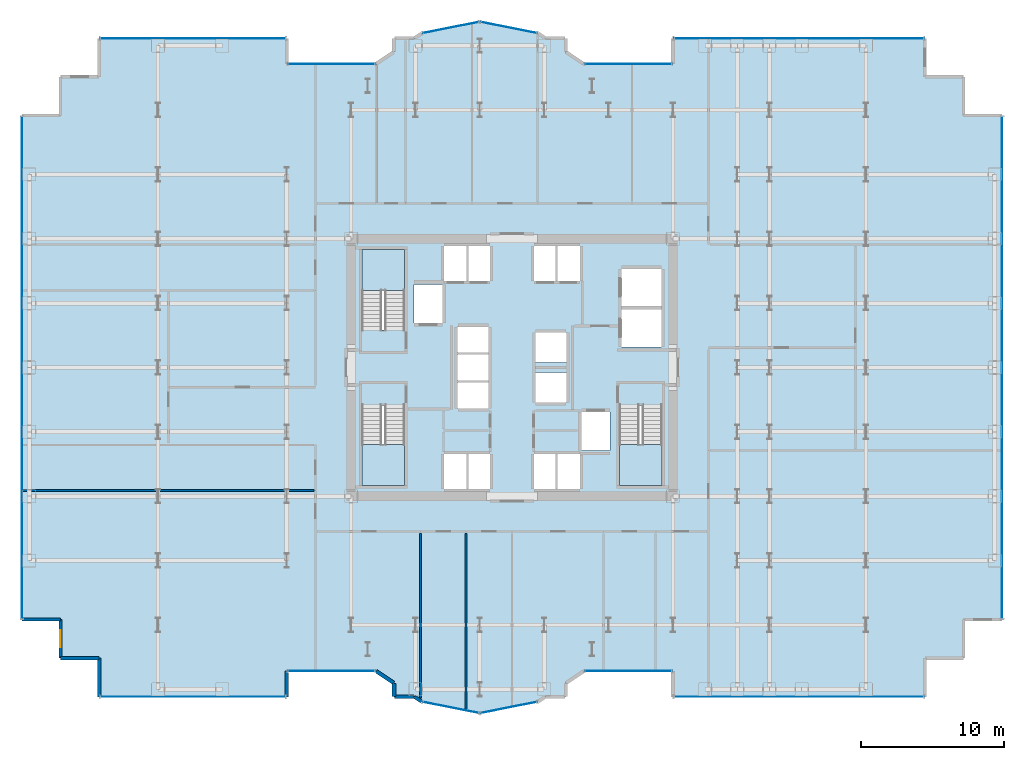
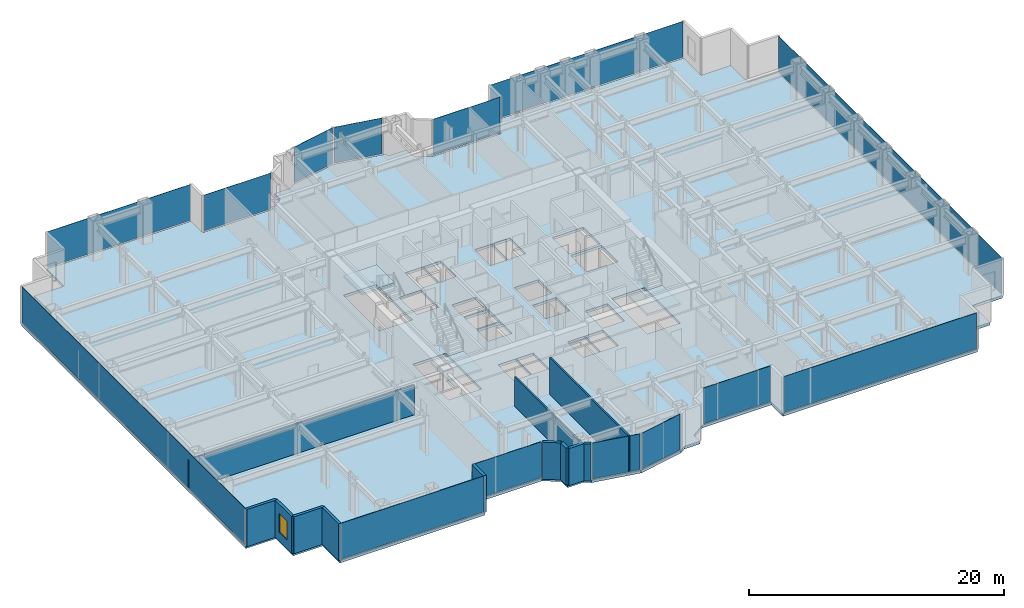
# One storey, part 19 of 25: 14 plates, 12 walls, 4 slabs, 1 window, 1 opening, 17 elements without a shape of their own.
"""IFC4 building model written with IfcOpenShell, lengths in metres."""

from ifc_helpers import new_model, si_unit, direction, frame, frame_2d, origin, origin_2d, place, context, subcontext, project, spatial, polyline, rectangle, outline, extrude, source, transform, mapped, material, layer, layer_set, type_object, element, fill, aggregate, save


model = new_model("IFC4")

# Units and contexts
model_context = context("Model", 3, precision=1e-05, world=origin(), true_north=direction((0.0, 1.0)))
body_context = subcontext(model_context, "Body", "Model", "MODEL_VIEW")
ifc_project = project(units=[si_unit("LENGTHUNIT", "METRE"), si_unit("AREAUNIT", "SQUARE_METRE"), si_unit("VOLUMEUNIT", "CUBIC_METRE"), si_unit("PLANEANGLEUNIT", "RADIAN"), si_unit("MASSUNIT", "GRAM", prefix="KILO")], contexts=[model_context])

# Site, building, storey
site_placement = place(None, origin())
site = spatial("IfcSite", under=ifc_project, at=site_placement, CompositionType="ELEMENT")
building_placement = place(site_placement, origin())
building = spatial("IfcBuilding", under=site, at=building_placement, Name="Nefas-Gora Pilgrimage Tower", CompositionType="ELEMENT")
storey_placement = place(building_placement, frame((0.0, 0.0, 74.800048828125)))
storey = spatial("IfcBuildingStorey", under=building, at=storey_placement, Name="L17", CompositionType="ELEMENT", Elevation=74.800048828125)

# Slab
ifc_material_1 = material(Name="Concrete C40/50", Category="concrete")
ifc_layer_1 = layer(ifc_material_1, 0.25)
ifc_layer_set_1 = layer_set([ifc_layer_1], Name="Concrete C40/50")
slab_type_1 = type_object("IfcSlabType", Name="SLB-TWR-250", PredefinedType="FLOOR", material=ifc_layer_set_1)
slab_1_placement = place(storey_placement, frame((0.0, 0.0, -0.25)))
element("IfcSlab", 1, at=slab_1_placement, inside=storey, type_object=slab_type_1, Name="L17 Structural Floor Slab", PredefinedType="FLOOR", context=body_context, shape_type="SweptSolid", body=[
    extrude(outline(polyline([(5.01806640625, -21.219970703125), (11.25, -21.219970703125), (11.25, -23.02001953125), (28.8701171875, -23.02001953125), (28.8701171875, -20.320068359375), (31.570068359375, -20.320068359375), (31.570068359375, -17.6201171875), (34.27001953125, -17.6201171875), (34.27001953125, 17.6201171875), (31.570068359375, 17.6201171875), (31.570068359375, 20.320068359375), (28.8701171875, 20.320068359375), (28.8701171875, 23.02001953125), (11.25, 23.02001953125), (11.25, 21.219970703125), (5.01806640625, 21.219970703125), (3.75, 22.0673828125), (3.75, 23.02001953125), (2.32421875, 23.02001953125), (1.807373046875, 23.365234375), (-2.25, 24.17236328125), (-6.307373046875, 23.365234375), (-6.82421875, 23.02001953125), (-8.25, 23.02001953125), (-8.25, 22.0673828125), (-9.51806640625, 21.219970703125), (-15.75, 21.219970703125), (-15.75, 23.02001953125), (-28.8701171875, 23.02001953125), (-28.8701171875, 20.320068359375), (-31.570068359375, 20.320068359375), (-31.570068359375, 17.6201171875), (-34.27001953125, 17.6201171875), (-34.27001953125, -17.6201171875), (-31.570068359375, -17.6201171875), (-31.570068359375, -20.320068359375), (-28.8701171875, -20.320068359375), (-28.8701171875, -23.02001953125), (-15.75, -23.02001953125), (-15.75, -21.219970703125), (-9.51806640625, -21.219970703125), (-8.25, -22.0673828125), (-8.25, -23.02001953125), (-6.82421875, -23.02001953125), (-6.307373046875, -23.365234375), (-2.25, -24.17236328125), (1.807373046875, -23.365234375), (2.32421875, -23.02001953125), (3.75, -23.02001953125), (3.75, -22.0673828125), (5.01806640625, -21.219970703125)]), holes=[polyline([(-10.5, 2.639892578125), (-10.5, 8.25), (-7.5, 8.25), (-7.5, 2.639892578125), (-10.5, 2.639892578125)]), polyline([(10.5, -2.639892578125), (10.5, -8.25), (7.5, -8.25), (7.5, -2.639892578125), (10.5, -2.639892578125)]), polyline([(-7.5, -2.639892578125), (-7.5, -8.25), (-10.5, -8.25), (-10.5, -2.639892578125), (-7.5, -2.639892578125)]), polyline([(-6.85009765625, 5.800048828125), (-4.85009765625, 5.800048828125), (-4.85009765625, 3.10009765625), (-6.85009765625, 3.10009765625), (-6.85009765625, 5.800048828125)]), polyline([(4.85009765625, -3.10009765625), (6.85009765625, -3.10009765625), (6.85009765625, -5.800048828125), (4.85009765625, -5.800048828125), (4.85009765625, -3.10009765625)]), polyline([(7.64990234375, 4.050048828125), (10.449951171875, 4.050048828125), (10.449951171875, 1.449951171875), (7.64990234375, 1.449951171875), (7.64990234375, 4.050048828125)]), polyline([(7.64990234375, 6.89990234375), (10.449951171875, 6.89990234375), (10.449951171875, 4.300048828125), (7.64990234375, 4.300048828125), (7.64990234375, 6.89990234375)]), polyline([(-4.75, 8.5), (-3.14990234375, 8.5), (-3.14990234375, 6.050048828125), (-4.75, 6.050048828125), (-4.75, 8.5)]), polyline([(-3.10009765625, 8.5), (-1.550048828125, 8.5), (-1.550048828125, 6.050048828125), (-3.10009765625, 6.050048828125), (-3.10009765625, 8.5)]), polyline([(1.550048828125, 8.5), (3.10009765625, 8.5), (3.10009765625, 6.050048828125), (1.550048828125, 6.050048828125), (1.550048828125, 8.5)]), polyline([(3.14990234375, 8.5), (4.75, 8.5), (4.75, 6.050048828125), (3.14990234375, 6.050048828125), (3.14990234375, 8.5)]), polyline([(-4.75, -6.050048828125), (-3.14990234375, -6.050048828125), (-3.14990234375, -8.5), (-4.75, -8.5), (-4.75, -6.050048828125)]), polyline([(-3.10009765625, -6.050048828125), (-1.550048828125, -6.050048828125), (-1.550048828125, -8.5), (-3.10009765625, -8.5), (-3.10009765625, -6.050048828125)]), polyline([(1.550048828125, -6.050048828125), (3.10009765625, -6.050048828125), (3.10009765625, -8.5), (1.550048828125, -8.5), (1.550048828125, -6.050048828125)]), polyline([(3.14990234375, -6.050048828125), (4.75, -6.050048828125), (4.75, -8.5), (3.14990234375, -8.5), (3.14990234375, -6.050048828125)]), polyline([(-3.800048828125, -1.050048828125), (-1.64990234375, -1.050048828125), (-1.64990234375, -2.85009765625), (-3.800048828125, -2.85009765625), (-3.800048828125, -1.050048828125)]), polyline([(-3.800048828125, 0.89990234375), (-1.64990234375, 0.89990234375), (-1.64990234375, -0.89990234375), (-3.800048828125, -0.89990234375), (-3.800048828125, 0.89990234375)]), polyline([(-3.800048828125, 2.85009765625), (-1.64990234375, 2.85009765625), (-1.64990234375, 1.050048828125), (-3.800048828125, 1.050048828125), (-3.800048828125, 2.85009765625)]), polyline([(1.64990234375, -0.35009765625), (3.800048828125, -0.35009765625), (3.800048828125, -2.449951171875), (1.64990234375, -2.449951171875), (1.64990234375, -0.35009765625)]), polyline([(1.64990234375, 2.449951171875), (3.800048828125, 2.449951171875), (3.800048828125, 0.35009765625), (1.64990234375, 0.35009765625), (1.64990234375, 2.449951171875)])]), origin(), (0.0, 0.0, 1.0), 0.25),
])

# Stair, slab
ifc_material_2 = material(Name="Concrete C45/55", Category="concrete")
stair_type = type_object("IfcStairType", Name="STR-1400-R1727", PredefinedType="HALF_TURN_STAIR", material=ifc_material_2)
stair_1_placement = place(storey_placement, origin())
stair_1 = element("IfcStair", 2, at=stair_1_placement, inside=storey, type_object=stair_type, Name="L17 Pressurised Tower Exit Stair ST-01", PredefinedType="HALF_TURN_STAIR")
ifc_layer_2 = layer(ifc_material_1, 0.199951171875)
ifc_layer_set_2 = layer_set([ifc_layer_2], Name="Concrete C40/50")
slab_type_2 = type_object("IfcSlabType", Name="STR-LAND-200", PredefinedType="LANDING", material=ifc_layer_set_2)
slab_2_placement = place(storey_placement, frame((0.0, 0.0, 1.699951171875)))
slab_2 = element("IfcSlab", 3, at=slab_2_placement, type_object=slab_type_2, Name="ST-01 landing 1", PredefinedType="LANDING", context=body_context, shape_type="SweptSolid", body=[
    extrude(outline(polyline([(-7.5, 5.39990234375), (-7.5, 8.25), (-10.5, 8.25), (-10.5, 5.39990234375), (-7.5, 5.39990234375)])), origin(), (0.0, 0.0, 1.0), 0.199951171875),
])
aggregate(stair_1, [slab_2])

stair_2_placement = place(storey_placement, origin())
stair_2 = element("IfcStair", 4, at=stair_2_placement, inside=storey, type_object=stair_type, Name="L17 Pressurised Tower Exit Stair ST-02", PredefinedType="HALF_TURN_STAIR")
slab_3_placement = place(storey_placement, frame((0.0, 0.0, 1.699951171875)))
slab_3 = element("IfcSlab", 5, at=slab_3_placement, type_object=slab_type_2, Name="ST-02 landing 1", PredefinedType="LANDING", context=body_context, shape_type="SweptSolid", body=[
    extrude(outline(polyline([(7.5, -5.39990234375), (7.5, -8.25), (10.5, -8.25), (10.5, -5.39990234375), (7.5, -5.39990234375)])), origin(), (0.0, 0.0, 1.0), 0.199951171875),
])
aggregate(stair_2, [slab_3])

stair_3_placement = place(storey_placement, origin())
stair_3 = element("IfcStair", 6, at=stair_3_placement, inside=storey, type_object=stair_type, Name="L17 Pressurised Tower Exit Stair ST-03", PredefinedType="HALF_TURN_STAIR")
slab_4_placement = place(storey_placement, frame((0.0, 0.0, 1.699951171875)))
slab_4 = element("IfcSlab", 7, at=slab_4_placement, type_object=slab_type_2, Name="ST-03 landing 1", PredefinedType="LANDING", context=body_context, shape_type="SweptSolid", body=[
    extrude(outline(polyline([(-10.5, -5.39990234375), (-10.5, -8.25), (-7.5, -8.25), (-7.5, -5.39990234375), (-10.5, -5.39990234375)])), origin(), (0.0, 0.0, 1.0), 0.199951171875),
])
aggregate(stair_3, [slab_4])

# Curtain wall, plate
ifc_material_3 = material(Name="Dark ceramic-fritted solar-control aluminium-glass curtain wall", Category="aluminium")
ifc_layer_3 = layer(ifc_material_3, 0.219970703125)
ifc_layer_set_3 = layer_set([ifc_layer_3], Name="Dark ceramic-fritted solar-control aluminium-glass curtain wall")
curtain_wall_type_1 = type_object("IfcCurtainWallType", Name="CW-SYS-5", PredefinedType="NOTDEFINED", material=ifc_layer_set_3)
curtain_wall_1_placement = place(storey_placement, origin())
curtain_wall_1 = element("IfcCurtainWall", 8, at=curtain_wall_1_placement, inside=storey, type_object=curtain_wall_type_1, Name="L17 Unitised Curtain Wall CW5", PredefinedType="NOTDEFINED")
ifc_material_4 = material(Name="Dark ceramic-printed low-e insulated glass", Category="glass")
ifc_layer_4 = layer(ifc_material_4, 0.028076171875)
ifc_layer_set_4 = layer_set([ifc_layer_4], Name="Dark ceramic-printed low-e insulated glass")
plate_type_1 = type_object("IfcPlateType", Name="CWP-PNL-5", PredefinedType="CURTAIN_PANEL", material=ifc_layer_set_4)
shared_shape_1 = source(origin(), body_context, "Body", "SweptSolid", [
    extrude(rectangle(XDim=6.052001953125, YDim=0.028076171875, at=origin_2d()), origin(), (0.0, 0.0, 1.0), 3.43994140625),
])
plate_1_placement = place(storey_placement, frame((8.134033203125, -21.219970703125, 0.10009765625), z_axis=(0.0, 0.0, 1.0), x_axis=(1.0, 0.0, 0.0)))
plate_1 = element("IfcPlate", 9, at=plate_1_placement, type_object=plate_type_1, Name="CW5 Ceramic-Fritted Glazing Panel 1", PredefinedType="CURTAIN_PANEL", context=body_context, shape_type="MappedRepresentation", body=[
    mapped(shared_shape_1, transform((0.0, 0.0, 0.0), x_axis=(1.0, 0.0, 0.0), y_axis=(0.0, 1.0, 0.0), z_axis=(0.0, 0.0, 1.0), scale=1.0)),
])
aggregate(curtain_wall_1, [plate_1])

curtain_wall_2_placement = place(storey_placement, origin())
curtain_wall_2 = element("IfcCurtainWall", 10, at=curtain_wall_2_placement, inside=storey, type_object=curtain_wall_type_1, Name="L17 Unitised Curtain Wall CW5", PredefinedType="NOTDEFINED")
plate_2_placement = place(storey_placement, frame((8.134033203125, 21.219970703125, 0.10009765625), z_axis=(0.0, 0.0, 1.0), x_axis=(-1.0, 0.0, 0.0)))
plate_2 = element("IfcPlate", 11, at=plate_2_placement, type_object=plate_type_1, Name="CW5 Ceramic-Fritted Glazing Panel 1", PredefinedType="CURTAIN_PANEL", context=body_context, shape_type="MappedRepresentation", body=[
    mapped(shared_shape_1, transform((0.0, 0.0, 0.0), x_axis=(1.0, 0.0, 0.0), y_axis=(0.0, 1.0, 0.0), z_axis=(0.0, 0.0, 1.0), scale=1.0)),
])
aggregate(curtain_wall_2, [plate_2])

curtain_wall_3_placement = place(storey_placement, origin())
curtain_wall_3 = element("IfcCurtainWall", 12, at=curtain_wall_3_placement, inside=storey, type_object=curtain_wall_type_1, Name="L17 Unitised Curtain Wall CW5", PredefinedType="NOTDEFINED")
plate_3_placement = place(storey_placement, frame((-12.634033203125, 21.219970703125, 0.10009765625), z_axis=(0.0, 0.0, 1.0), x_axis=(-1.0, 0.0, 0.0)))
plate_3 = element("IfcPlate", 13, at=plate_3_placement, type_object=plate_type_1, Name="CW5 Ceramic-Fritted Glazing Panel 1", PredefinedType="CURTAIN_PANEL", context=body_context, shape_type="MappedRepresentation", body=[
    mapped(shared_shape_1, transform((0.0, 0.0, 0.0), x_axis=(1.0, 0.0, 0.0), y_axis=(0.0, 1.0, 0.0), z_axis=(0.0, 0.0, 1.0), scale=1.0)),
])
aggregate(curtain_wall_3, [plate_3])

curtain_wall_4_placement = place(storey_placement, origin())
curtain_wall_4 = element("IfcCurtainWall", 14, at=curtain_wall_4_placement, inside=storey, type_object=curtain_wall_type_1, Name="L17 Unitised Curtain Wall CW5", PredefinedType="NOTDEFINED")
plate_4_placement = place(storey_placement, frame((-12.634033203125, -21.219970703125, 0.10009765625), z_axis=(0.0, 0.0, 1.0), x_axis=(1.0, 0.0, 0.0)))
plate_4 = element("IfcPlate", 15, at=plate_4_placement, type_object=plate_type_1, Name="CW5 Ceramic-Fritted Glazing Panel 1", PredefinedType="CURTAIN_PANEL", context=body_context, shape_type="MappedRepresentation", body=[
    mapped(shared_shape_1, transform((0.0, 0.0, 0.0), x_axis=(1.0, 0.0, 0.0), y_axis=(0.0, 1.0, 0.0), z_axis=(0.0, 0.0, 1.0), scale=1.0)),
])
aggregate(curtain_wall_4, [plate_4])

ifc_layer_5 = layer(ifc_material_3, 0.219970703125)
ifc_layer_set_5 = layer_set([ifc_layer_5], Name="Dark ceramic-fritted solar-control aluminium-glass curtain wall")
curtain_wall_type_2 = type_object("IfcCurtainWallType", Name="CW-SYS-2", PredefinedType="NOTDEFINED", material=ifc_layer_set_5)
curtain_wall_5_placement = place(storey_placement, origin())
curtain_wall_5 = element("IfcCurtainWall", 16, at=curtain_wall_5_placement, inside=storey, type_object=curtain_wall_type_2, Name="L17 Unitised Curtain Wall CW2", PredefinedType="NOTDEFINED")
ifc_layer_6 = layer(ifc_material_4, 0.031982421875)
ifc_layer_set_6 = layer_set([ifc_layer_6], Name="Dark ceramic-printed low-e insulated glass")
plate_type_2 = type_object("IfcPlateType", Name="CWP-PNL-2", PredefinedType="CURTAIN_PANEL", material=ifc_layer_set_6)
shared_shape_2 = source(origin(), body_context, "Body", "SweptSolid", [
    extrude(rectangle(XDim=17.43994140625, YDim=0.031982421875, at=origin_2d()), origin(), (0.0, 0.0, 1.0), 3.43994140625),
])
plate_5_placement = place(storey_placement, frame((20.06005859375, -23.02001953125, 0.10009765625), z_axis=(0.0, 0.0, 1.0), x_axis=(1.0, 0.0, 0.0)))
plate_5 = element("IfcPlate", 17, at=plate_5_placement, type_object=plate_type_2, Name="CW2 Ceramic-Fritted Glazing Panel 1", PredefinedType="CURTAIN_PANEL", context=body_context, shape_type="MappedRepresentation", body=[
    mapped(shared_shape_2, transform((0.0, 0.0, 0.0), x_axis=(1.0, 0.0, 0.0), y_axis=(0.0, 1.0, 0.0), z_axis=(0.0, 0.0, 1.0), scale=1.0)),
])
aggregate(curtain_wall_5, [plate_5])

curtain_wall_6_placement = place(storey_placement, origin())
curtain_wall_6 = element("IfcCurtainWall", 18, at=curtain_wall_6_placement, inside=storey, type_object=curtain_wall_type_2, Name="L17 Unitised Curtain Wall CW2", PredefinedType="NOTDEFINED")
plate_6_placement = place(storey_placement, frame((20.06005859375, 23.02001953125, 0.10009765625), z_axis=(0.0, 0.0, 1.0), x_axis=(-1.0, 0.0, 0.0)))
plate_6 = element("IfcPlate", 19, at=plate_6_placement, type_object=plate_type_2, Name="CW2 Ceramic-Fritted Glazing Panel 1", PredefinedType="CURTAIN_PANEL", context=body_context, shape_type="MappedRepresentation", body=[
    mapped(shared_shape_2, transform((0.0, 0.0, 0.0), x_axis=(1.0, 0.0, 0.0), y_axis=(0.0, 1.0, 0.0), z_axis=(0.0, 0.0, 1.0), scale=1.0)),
])
aggregate(curtain_wall_6, [plate_6])

curtain_wall_7_placement = place(storey_placement, origin())
curtain_wall_7 = element("IfcCurtainWall", 20, at=curtain_wall_7_placement, inside=storey, type_object=curtain_wall_type_1, Name="L17 Unitised Curtain Wall CW5", PredefinedType="NOTDEFINED")
shared_shape_3 = source(origin(), body_context, "Body", "SweptSolid", [
    extrude(rectangle(XDim=3.956787109375, YDim=0.028076171875, at=origin_2d()), origin(), (0.0, 0.0, 1.0), 3.43994140625),
])
plate_7_placement = place(storey_placement, frame((-0.22119140625, 23.768798828125, 0.10009765625), z_axis=(0.0, 0.0, 1.0), x_axis=(-0.980782896852, 0.195102304554, 0.0)))
plate_7 = element("IfcPlate", 21, at=plate_7_placement, type_object=plate_type_1, Name="CW5 Ceramic-Fritted Glazing Panel 1", PredefinedType="CURTAIN_PANEL", context=body_context, shape_type="MappedRepresentation", body=[
    mapped(shared_shape_3, transform((0.0, 0.0, 0.0), x_axis=(1.0, 0.0, 0.0), y_axis=(0.0, 1.0, 0.0), z_axis=(0.0, 0.0, 1.0), scale=1.0)),
])
aggregate(curtain_wall_7, [plate_7])

curtain_wall_8_placement = place(storey_placement, origin())
curtain_wall_8 = element("IfcCurtainWall", 22, at=curtain_wall_8_placement, inside=storey, type_object=curtain_wall_type_1, Name="L17 Unitised Curtain Wall CW5", PredefinedType="NOTDEFINED")
plate_8_placement = place(storey_placement, frame((-4.278564453125, 23.768798828125, 0.10009765625), z_axis=(0.0, 0.0, 1.0), x_axis=(-0.980782896852, -0.195102304554, 0.0)))
plate_8 = element("IfcPlate", 23, at=plate_8_placement, type_object=plate_type_1, Name="CW5 Ceramic-Fritted Glazing Panel 1", PredefinedType="CURTAIN_PANEL", context=body_context, shape_type="MappedRepresentation", body=[
    mapped(shared_shape_3, transform((0.0, 0.0, 0.0), x_axis=(1.0, 0.0, 0.0), y_axis=(0.0, 1.0, 0.0), z_axis=(0.0, 0.0, 1.0), scale=1.0)),
])
aggregate(curtain_wall_8, [plate_8])

curtain_wall_9_placement = place(storey_placement, origin())
curtain_wall_9 = element("IfcCurtainWall", 24, at=curtain_wall_9_placement, inside=storey, type_object=curtain_wall_type_1, Name="L17 Unitised Curtain Wall CW5", PredefinedType="NOTDEFINED")
plate_9_placement = place(storey_placement, frame((-4.278564453125, -23.768798828125, 0.10009765625), z_axis=(0.0, 0.0, 1.0), x_axis=(0.980782896852, -0.195102304554, 0.0)))
plate_9 = element("IfcPlate", 25, at=plate_9_placement, type_object=plate_type_1, Name="CW5 Ceramic-Fritted Glazing Panel 1", PredefinedType="CURTAIN_PANEL", context=body_context, shape_type="MappedRepresentation", body=[
    mapped(shared_shape_3, transform((0.0, 0.0, 0.0), x_axis=(1.0, 0.0, 0.0), y_axis=(0.0, 1.0, 0.0), z_axis=(0.0, 0.0, 1.0), scale=1.0)),
])
aggregate(curtain_wall_9, [plate_9])

curtain_wall_10_placement = place(storey_placement, origin())
curtain_wall_10 = element("IfcCurtainWall", 26, at=curtain_wall_10_placement, inside=storey, type_object=curtain_wall_type_1, Name="L17 Unitised Curtain Wall CW5", PredefinedType="NOTDEFINED")
plate_10_placement = place(storey_placement, frame((-0.221435546875, -23.768798828125, 0.10009765625), z_axis=(0.0, 0.0, 1.0), x_axis=(0.980782896852, 0.195102304554, 0.0)))
plate_10 = element("IfcPlate", 27, at=plate_10_placement, type_object=plate_type_1, Name="CW5 Ceramic-Fritted Glazing Panel 1", PredefinedType="CURTAIN_PANEL", context=body_context, shape_type="MappedRepresentation", body=[
    mapped(shared_shape_3, transform((0.0, 0.0, 0.0), x_axis=(1.0, 0.0, 0.0), y_axis=(0.0, 1.0, 0.0), z_axis=(0.0, 0.0, 1.0), scale=1.0)),
])
aggregate(curtain_wall_10, [plate_10])

curtain_wall_11_placement = place(storey_placement, origin())
curtain_wall_11 = element("IfcCurtainWall", 28, at=curtain_wall_11_placement, inside=storey, type_object=curtain_wall_type_2, Name="L17 Unitised Curtain Wall CW2", PredefinedType="NOTDEFINED")
shared_shape_4 = source(origin(), body_context, "Body", "SweptSolid", [
    extrude(rectangle(XDim=12.93994140625, YDim=0.031982421875, at=origin_2d()), origin(), (0.0, 0.0, 1.0), 3.43994140625),
])
plate_11_placement = place(storey_placement, frame((-22.31005859375, 23.02001953125, 0.10009765625), z_axis=(0.0, 0.0, 1.0), x_axis=(-1.0, 0.0, 0.0)))
plate_11 = element("IfcPlate", 29, at=plate_11_placement, type_object=plate_type_2, Name="CW2 Ceramic-Fritted Glazing Panel 1", PredefinedType="CURTAIN_PANEL", context=body_context, shape_type="MappedRepresentation", body=[
    mapped(shared_shape_4, transform((0.0, 0.0, 0.0), x_axis=(1.0, 0.0, 0.0), y_axis=(0.0, 1.0, 0.0), z_axis=(0.0, 0.0, 1.0), scale=1.0)),
])
aggregate(curtain_wall_11, [plate_11])

curtain_wall_12_placement = place(storey_placement, origin())
curtain_wall_12 = element("IfcCurtainWall", 30, at=curtain_wall_12_placement, inside=storey, type_object=curtain_wall_type_2, Name="L17 Unitised Curtain Wall CW2", PredefinedType="NOTDEFINED")
plate_12_placement = place(storey_placement, frame((-22.31005859375, -23.02001953125, 0.10009765625), z_axis=(0.0, 0.0, 1.0), x_axis=(1.0, 0.0, 0.0)))
plate_12 = element("IfcPlate", 31, at=plate_12_placement, type_object=plate_type_2, Name="CW2 Ceramic-Fritted Glazing Panel 1", PredefinedType="CURTAIN_PANEL", context=body_context, shape_type="MappedRepresentation", body=[
    mapped(shared_shape_4, transform((0.0, 0.0, 0.0), x_axis=(1.0, 0.0, 0.0), y_axis=(0.0, 1.0, 0.0), z_axis=(0.0, 0.0, 1.0), scale=1.0)),
])
aggregate(curtain_wall_12, [plate_12])

curtain_wall_13_placement = place(storey_placement, origin())
curtain_wall_13 = element("IfcCurtainWall", 32, at=curtain_wall_13_placement, inside=storey, type_object=curtain_wall_type_2, Name="L17 Unitised Curtain Wall CW2", PredefinedType="NOTDEFINED")
shared_shape_5 = source(origin(), body_context, "Body", "SweptSolid", [
    extrude(rectangle(XDim=35.06005859375, YDim=0.031982421875, at=origin_2d()), origin(), (0.0, 0.0, 1.0), 3.43994140625),
])
plate_13_placement = place(storey_placement, frame((34.27001953125, 0.0, 0.10009765625), z_axis=(0.0, 0.0, 1.0), x_axis=(0.0, 1.0, 0.0)))
plate_13 = element("IfcPlate", 33, at=plate_13_placement, type_object=plate_type_2, Name="CW2 Ceramic-Fritted Glazing Panel 1", PredefinedType="CURTAIN_PANEL", context=body_context, shape_type="MappedRepresentation", body=[
    mapped(shared_shape_5, transform((0.0, 0.0, 0.0), x_axis=(1.0, 0.0, 0.0), y_axis=(0.0, 1.0, 0.0), z_axis=(0.0, 0.0, 1.0), scale=1.0)),
])
aggregate(curtain_wall_13, [plate_13])

curtain_wall_14_placement = place(storey_placement, origin())
curtain_wall_14 = element("IfcCurtainWall", 34, at=curtain_wall_14_placement, inside=storey, type_object=curtain_wall_type_2, Name="L17 Unitised Curtain Wall CW2", PredefinedType="NOTDEFINED")
plate_14_placement = place(storey_placement, frame((-34.27001953125, 0.0, 0.10009765625), z_axis=(0.0, 0.0, 1.0), x_axis=(0.0, -1.0, 0.0)))
plate_14 = element("IfcPlate", 35, at=plate_14_placement, type_object=plate_type_2, Name="CW2 Ceramic-Fritted Glazing Panel 1", PredefinedType="CURTAIN_PANEL", context=body_context, shape_type="MappedRepresentation", body=[
    mapped(shared_shape_5, transform((0.0, 0.0, 0.0), x_axis=(1.0, 0.0, 0.0), y_axis=(0.0, 1.0, 0.0), z_axis=(0.0, 0.0, 1.0), scale=1.0)),
])
aggregate(curtain_wall_14, [plate_14])

# Walls
ifc_material_5 = material(Name="Precast concrete C40/50", Category="concrete")
ifc_layer_7 = layer(ifc_material_5, 0.260009765625)
ifc_layer_set_7 = layer_set([ifc_layer_7], Name="Precast concrete C40/50")
wall_type_1 = type_object("IfcWallType", Name="EW-PORTAL-260", PredefinedType="SOLIDWALL", material=ifc_layer_set_7)
shared_shape_6 = source(origin(), body_context, "Body", "SweptSolid", [
    extrude(rectangle(XDim=1.800048828125, YDim=0.260009765625, at=frame_2d((0.89990234375, 0.0))), origin(), (0.0, 0.0, 1.0), 3.550048828125),
])
wall_1_placement = place(storey_placement, frame((-15.75, -23.02001953125, 0.0), z_axis=(0.0, 0.0, 1.0), x_axis=(0.0, 1.0, 0.0)))
element("IfcWall", 36, at=wall_1_placement, inside=storey, type_object=wall_type_1, Name="L17 Lobe Shoulder Precast Spandrel Pier 28", PredefinedType="SOLIDWALL", context=body_context, shape_type="MappedRepresentation", body=[
    mapped(shared_shape_6, transform((0.0, 0.0, 0.0), x_axis=(1.0, 0.0, 0.0), y_axis=(0.0, 1.0, 0.0), z_axis=(0.0, 0.0, 1.0), scale=1.0)),
])
ifc_material_6 = material(Name="Precast concrete C45/55", Category="concrete")
ifc_layer_8 = layer(ifc_material_6, 0.239990234375)
ifc_layer_set_8 = layer_set([ifc_layer_8], Name="Precast concrete C45/55")
wall_type_2 = type_object("IfcWallType", Name="EW-SERR-240", PredefinedType="SHEAR", material=ifc_layer_set_8)
shared_shape_7 = source(origin(), body_context, "Body", "SweptSolid", [
    extrude(rectangle(XDim=2.699951171875, YDim=0.239990234375, at=frame_2d((1.35009765625, 0.0))), origin(), (0.0, 0.0, 1.0), 3.550048828125),
])
wall_2_placement = place(storey_placement, frame((-34.27001953125, -17.6201171875, 0.0), z_axis=(0.0, 0.0, 1.0), x_axis=(1.0, 0.0, 0.0)))
element("IfcWall", 37, at=wall_2_placement, inside=storey, type_object=wall_type_2, Name="L17 Serrated Corner Shear Pier Wall 24", PredefinedType="SHEAR", context=body_context, shape_type="MappedRepresentation", body=[
    mapped(shared_shape_7, transform((0.0, 0.0, 0.0), x_axis=(1.0, 0.0, 0.0), y_axis=(0.0, 1.0, 0.0), z_axis=(0.0, 0.0, 1.0), scale=1.0)),
])

# Wall, opening, window
wall_3_placement = place(storey_placement, frame((-31.570068359375, -17.6201171875, 0.0), z_axis=(0.0, 0.0, 1.0), x_axis=(0.0, -1.0, 0.0)))
wall_3 = element("IfcWall", 38, at=wall_3_placement, inside=storey, type_object=wall_type_2, Name="L17 Serrated Corner Shear Pier Wall 25", PredefinedType="SHEAR", context=body_context, shape_type="MappedRepresentation", body=[
    mapped(shared_shape_7, transform((0.0, 0.0, 0.0), x_axis=(1.0, 0.0, 0.0), y_axis=(0.0, 1.0, 0.0), z_axis=(0.0, 0.0, 1.0), scale=1.0)),
])
opening_placement = place(wall_3_placement, frame((0.75, 0.0, 0.85009765625)))
opening = element("IfcOpeningElement", 39, at=opening_placement, cuts=wall_3, Name="Opening W-V1", PredefinedType="OPENING", context=body_context, shape_type="SweptSolid", body=[
    extrude(rectangle(XDim=1.199951171875, YDim=1.800048828125, at=frame_2d((0.60009765625, 0.89990234375))), frame((0.0, 0.1298828125, 0.0), z_axis=(0.0, -1.0, 0.0), x_axis=(1.0, 0.0, 0.0)), (0.0, 0.0, 1.0), 0.260009765625),
])
ifc_material_7 = material(Name="Dark ceramic-fritted operable aluminium-glass window", Category="aluminium")
window_type = type_object("IfcWindowType", Name="WIN-VENT-1200x1800", PartitioningType="SINGLE_PANEL", PredefinedType="WINDOW", material=ifc_material_7)
shared_shape_8 = source(origin(), body_context, "Body", "SweptSolid", [
    extrude(rectangle(XDim=1.199951171875, YDim=1.800048828125, at=frame_2d((0.60009765625, 0.89990234375))), frame((0.0, 0.030029296875, 0.0), z_axis=(0.0, -1.0, 0.0), x_axis=(1.0, 0.0, 0.0)), (0.0, 0.0, 1.0), 0.06005859375),
])
window_placement = place(opening_placement, origin())
window = element("IfcWindow", 40, at=window_placement, inside=storey, type_object=window_type, Name="L17 Operable Parallel-Outswing Window 25", OverallHeight=1.800048828125, OverallWidth=1.199951171875, PartitioningType="SINGLE_PANEL", PredefinedType="WINDOW", context=body_context, shape_type="MappedRepresentation", body=[
    mapped(shared_shape_8, transform((0.0, 0.0, 0.0), x_axis=(1.0, 0.0, 0.0), y_axis=(0.0, 1.0, 0.0), z_axis=(0.0, 0.0, 1.0), scale=1.0)),
])
fill(opening, window)

# Walls
for number, where, z_axis, x_axis, name in (
    (41, (-31.570068359375, -20.320068359375, 0.0), (0.0, 0.0, 1.0), (1.0, 0.0, 0.0), "L17 Serrated Corner Shear Pier Wall 26"),
    (42, (-28.8701171875, -20.320068359375, 0.0), (0.0, 0.0, 1.0), (0.0, -1.0, 0.0), "L17 Serrated Corner Shear Pier Wall 27"),
):
    element("IfcWall", number, at=place(storey_placement, frame(where, z_axis=z_axis, x_axis=x_axis)), inside=storey, type_object=wall_type_2, Name=name, PredefinedType="SHEAR", context=body_context, shape_type="MappedRepresentation", body=[
        mapped(shared_shape_7, transform((0.0, 0.0, 0.0), x_axis=(1.0, 0.0, 0.0), y_axis=(0.0, 1.0, 0.0), z_axis=(0.0, 0.0, 1.0), scale=1.0)),
    ])
shared_shape_9 = source(origin(), body_context, "Body", "SweptSolid", [
    extrude(rectangle(XDim=1.468994140625, YDim=0.260009765625, at=frame_2d((0.734375, 0.0))), origin(), (0.0, 0.0, 1.0), 3.550048828125),
])
wall_4_placement = place(storey_placement, frame((-9.49462890625, -21.235595703125, 0.0), z_axis=(0.0, 0.0, 1.0), x_axis=(0.831461760506, -0.555581983884, 0.0)))
element("IfcWall", 43, at=wall_4_placement, inside=storey, type_object=wall_type_1, Name="L17 Lobe Shoulder Precast Spandrel Pier 29", PredefinedType="SOLIDWALL", context=body_context, shape_type="MappedRepresentation", body=[
    mapped(shared_shape_9, transform((0.0, 0.0, 0.0), x_axis=(1.0, 0.0, 0.0), y_axis=(0.0, 1.0, 0.0), z_axis=(0.0, 0.0, 1.0), scale=1.0)),
])
shared_shape_10 = source(origin(), body_context, "Body", "SweptSolid", [
    extrude(rectangle(XDim=0.896728515625, YDim=0.260009765625, at=frame_2d((0.4482421875, 0.0))), origin(), (0.0, 0.0, 1.0), 3.550048828125),
])
wall_5_placement = place(storey_placement, frame((-8.25, -22.09521484375, 0.0), z_axis=(0.0, 0.0, 1.0), x_axis=(0.0, -1.0, 0.0)))
element("IfcWall", 44, at=wall_5_placement, inside=storey, type_object=wall_type_1, Name="L17 Lobe Shoulder Precast Spandrel Pier 30", PredefinedType="SOLIDWALL", context=body_context, shape_type="MappedRepresentation", body=[
    mapped(shared_shape_10, transform((0.0, 0.0, 0.0), x_axis=(1.0, 0.0, 0.0), y_axis=(0.0, 1.0, 0.0), z_axis=(0.0, 0.0, 1.0), scale=1.0)),
])
shared_shape_11 = source(origin(), body_context, "Body", "SweptSolid", [
    extrude(rectangle(XDim=1.369873046875, YDim=0.260009765625, at=frame_2d((0.68505859375, 0.0))), origin(), (0.0, 0.0, 1.0), 3.550048828125),
])
wall_6_placement = place(storey_placement, frame((-8.221923828125, -23.02001953125, 0.0), z_axis=(0.0, 0.0, 1.0), x_axis=(1.0, 0.0, 0.0)))
element("IfcWall", 45, at=wall_6_placement, inside=storey, type_object=wall_type_1, Name="L17 Lobe Shoulder Precast Spandrel Pier 31", PredefinedType="SOLIDWALL", context=body_context, shape_type="MappedRepresentation", body=[
    mapped(shared_shape_11, transform((0.0, 0.0, 0.0), x_axis=(1.0, 0.0, 0.0), y_axis=(0.0, 1.0, 0.0), z_axis=(0.0, 0.0, 1.0), scale=1.0)),
])
shared_shape_12 = source(origin(), body_context, "Body", "SweptSolid", [
    extrude(rectangle(XDim=0.5654296875, YDim=0.260009765625, at=frame_2d((0.28271484375, 0.0))), origin(), (0.0, 0.0, 1.0), 3.550048828125),
])
wall_7_placement = place(storey_placement, frame((-6.80078125, -23.03564453125, 0.0), z_axis=(0.0, 0.0, 1.0), x_axis=(0.831651492666, -0.555297933317, 0.0)))
element("IfcWall", 46, at=wall_7_placement, inside=storey, type_object=wall_type_1, Name="L17 Lobe Shoulder Precast Spandrel Pier 32", PredefinedType="SOLIDWALL", context=body_context, shape_type="MappedRepresentation", body=[
    mapped(shared_shape_12, transform((0.0, 0.0, 0.0), x_axis=(1.0, 0.0, 0.0), y_axis=(0.0, 1.0, 0.0), z_axis=(0.0, 0.0, 1.0), scale=1.0)),
])
ifc_material_8 = material(Name="Gypsum twin-stud partition")
ifc_layer_9 = layer(ifc_material_8, 0.139892578125)
ifc_layer_set_9 = layer_set([ifc_layer_9], Name="Gypsum twin-stud partition")
wall_type_3 = type_object("IfcWallType", Name="IW-UNIT-140", PredefinedType="PARTITIONING", material=ifc_layer_set_9)
shared_shape_13 = source(origin(), body_context, "Body", "SweptSolid", [
    extrude(rectangle(XDim=20.429931640625, YDim=0.139892578125, at=frame_2d((10.21484375, 0.0))), origin(), (0.0, 0.0, 1.0), 2.824951171875),
])
wall_8_placement = place(storey_placement, frame((-34.2900390625, -8.60498046875, 0.0), z_axis=(0.0, 0.0, 1.0), x_axis=(1.0, 0.0, 0.0)))
element("IfcWall", 47, at=wall_8_placement, inside=storey, type_object=wall_type_3, Name="L17 Pilgrim Floor Concierge Foyer Partition Wall 29", PredefinedType="PARTITIONING", context=body_context, shape_type="MappedRepresentation", body=[
    mapped(shared_shape_13, transform((0.0, 0.0, 0.0), x_axis=(1.0, 0.0, 0.0), y_axis=(0.0, 1.0, 0.0), z_axis=(0.0, 0.0, 1.0), scale=1.0)),
])
shared_shape_14 = source(origin(), body_context, "Body", "SweptSolid", [
    extrude(rectangle(XDim=11.5078125, YDim=0.139892578125, at=frame_2d((5.75390625, 0.0))), origin(), (0.0, 0.0, 1.0), 2.824951171875),
])
wall_9_placement = place(storey_placement, frame((-6.405029296875, -23.097900390625, 0.0), z_axis=(0.0, 0.0, 1.0), x_axis=(0.0, 1.0, 0.0)))
element("IfcWall", 48, at=wall_9_placement, inside=storey, type_object=wall_type_3, Name="L17 Pilgrim Contemplative Lounge Partition Wall 55", PredefinedType="PARTITIONING", context=body_context, shape_type="MappedRepresentation", body=[
    mapped(shared_shape_14, transform((0.0, 0.0, 0.0), x_axis=(1.0, 0.0, 0.0), y_axis=(0.0, 1.0, 0.0), z_axis=(0.0, 0.0, 1.0), scale=1.0)),
])
shared_shape_15 = source(origin(), body_context, "Body", "SweptSolid", [
    extrude(rectangle(XDim=12.415283203125, YDim=0.139892578125, at=frame_2d((6.20751953125, 0.0))), origin(), (0.0, 0.0, 1.0), 3.534912109375),
])
wall_10_placement = place(storey_placement, frame((-3.21240234375, -24.00537109375, 0.0), z_axis=(0.0, 0.0, 1.0), x_axis=(0.0, 1.0, 0.0)))
element("IfcWall", 49, at=wall_10_placement, inside=storey, type_object=wall_type_3, Name="L17 Pastoral Chaplains Counselling Office Partition Wall 60", PredefinedType="PARTITIONING", context=body_context, shape_type="MappedRepresentation", body=[
    mapped(shared_shape_15, transform((0.0, 0.0, 0.0), x_axis=(1.0, 0.0, 0.0), y_axis=(0.0, 1.0, 0.0), z_axis=(0.0, 0.0, 1.0), scale=1.0)),
])

save(model, "model.ifc")
